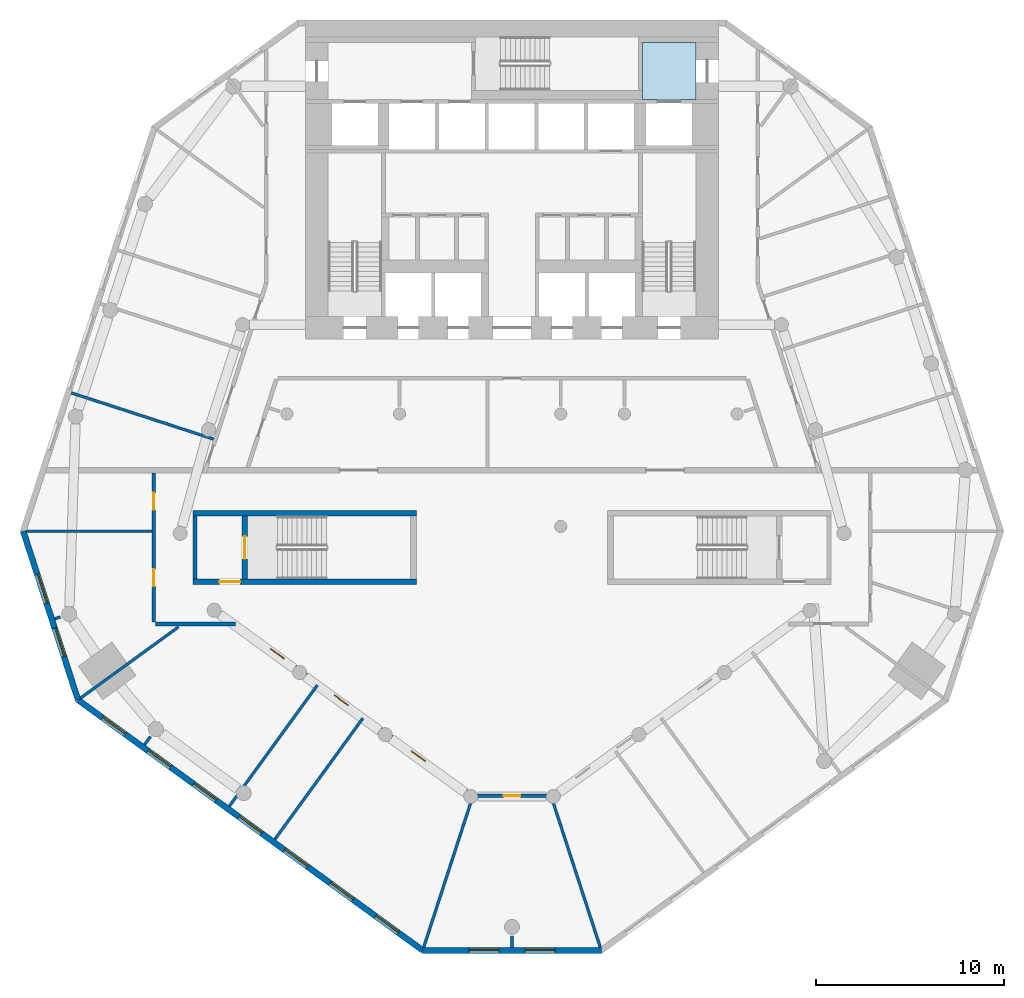
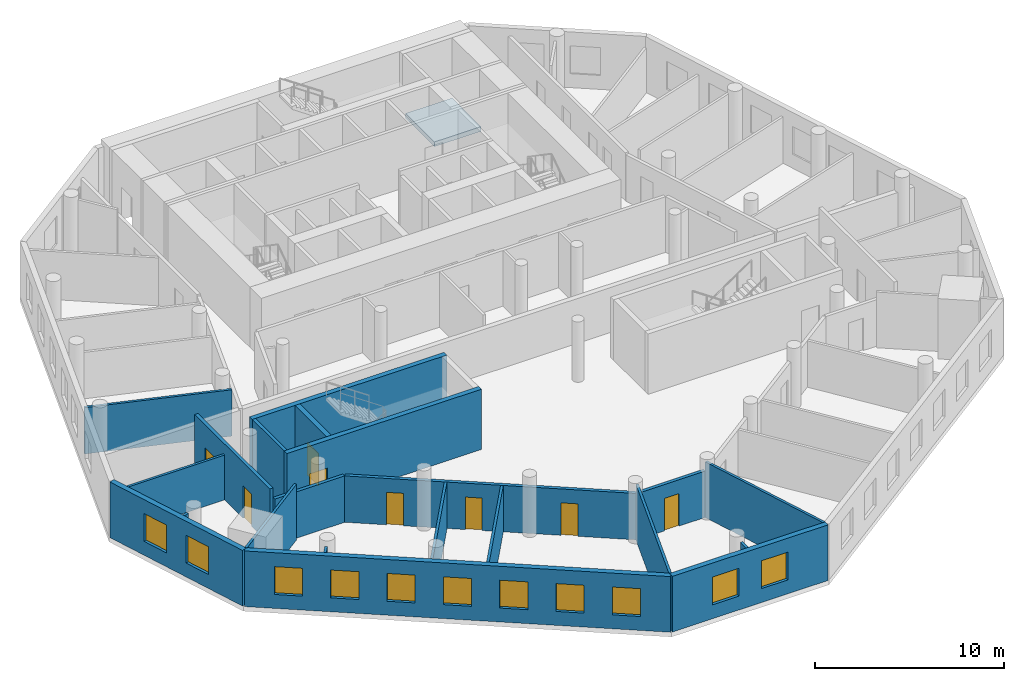
# One storey, part 2 of 9: 21 walls, 11 windows, 8 doors, 1 slab, 19 openings.
"""IFC4 building model written with IfcOpenShell, lengths in metres."""

from ifc_helpers import new_model, si_unit, direction, frame, frame_2d, origin, place, context, subcontext, project, spatial, polyline, rectangle, outline, extrude, material, layer, layer_set, type_object, element, fill, save


model = new_model("IFC4")

# Units and contexts
model_context = context("Model", 3, precision=1e-05, world=origin(), true_north=direction((0.0, 1.0)))
body_context = subcontext(model_context, "Body", "Model", "MODEL_VIEW")
ifc_project = project(units=[si_unit("LENGTHUNIT", "METRE"), si_unit("AREAUNIT", "SQUARE_METRE"), si_unit("VOLUMEUNIT", "CUBIC_METRE"), si_unit("PLANEANGLEUNIT", "RADIAN"), si_unit("MASSUNIT", "GRAM", prefix="KILO")], contexts=[model_context])

# Site, building, storey
site_placement = place(None, origin())
site = spatial("IfcSite", under=ifc_project, at=site_placement, CompositionType="ELEMENT")
building_placement = place(site_placement, origin())
building = spatial("IfcBuilding", under=site, at=building_placement, Name="White Candle Pilgrim Tower", CompositionType="ELEMENT")
storey_placement = place(building_placement, frame((0.0, 0.0, 58.5)))
storey = spatial("IfcBuildingStorey", under=building, at=storey_placement, Name="L11", CompositionType="ELEMENT", Elevation=58.5)

# Slab
ifc_material_1 = material(Name="Concrete C40/50", Category="concrete")
ifc_layer_1 = layer(ifc_material_1, 0.300048828125)
ifc_layer_set_1 = layer_set([ifc_layer_1], Name="Core floor slab 300 mm Concrete C40/50")
slab_type = type_object("IfcSlabType", Name="Core floor slab 300 mm Concrete C40/50", PredefinedType="FLOOR", material=ifc_layer_set_1)
slab_placement = place(storey_placement, frame((0.0, 0.0, -0.300048828125)))
element("IfcSlab", 1, at=slab_placement, inside=storey, type_object=slab_type, Name="CF-L11-06", PredefinedType="FLOOR", context=body_context, shape_type="SweptSolid", body=[
    extrude(outline(polyline([(79.800048828125, 86.800048828125), (79.800048828125, 83.75), (76.949951171875, 83.75), (76.949951171875, 84.25), (76.949951171875, 86.800048828125), (79.800048828125, 86.800048828125)])), origin(), (0.0, 0.0, 1.0), 0.300048828125),
])

# Wall
ifc_material_2 = material(Name="Concrete C70/85", Category="concrete")
ifc_layer_2 = layer(ifc_material_2, 0.199951171875)
ifc_layer_set_2 = layer_set([ifc_layer_2], Name="Core wall 200 mm Concrete C70/85")
wall_type_1 = type_object("IfcWallType", Name="Core wall 200 mm Concrete C70/85", PredefinedType="SHEAR", material=ifc_layer_set_2)
wall_1_placement = place(storey_placement, frame((53.10009765625, 58.199951171875, 0.0), z_axis=(0.0, 0.0, 1.0), x_axis=(0.0, 1.0, 0.0)))
element("IfcWall", 2, at=wall_1_placement, inside=storey, type_object=wall_type_1, Name="WL-L11-C03", PredefinedType="SHEAR", context=body_context, shape_type="SweptSolid", body=[
    extrude(rectangle(XDim=3.35009765625, YDim=0.199951171875, at=frame_2d((1.675048828125, 0.0))), origin(), (0.0, 0.0, 1.0), 3.89990234375),
])

# Wall, opening, door
ifc_material_3 = material(Name="Gypsum board on steel studs", Category="steel")
ifc_layer_3 = layer(ifc_material_3, 0.199951171875)
ifc_layer_set_3 = layer_set([ifc_layer_3], Name="Corridor wall 200 mm EI 45")
wall_type_2 = type_object("IfcWallType", Name="Corridor wall 200 mm EI 45", PredefinedType="PARTITIONING", material=ifc_layer_set_3)
wall_2_placement = place(storey_placement, frame((72.05029296875, 46.635498046875, 0.0), z_axis=(0.0, 0.0, 1.0), x_axis=(-1.0, 0.0, 0.0)))
wall_2 = element("IfcWall", 3, at=wall_2_placement, inside=storey, type_object=wall_type_2, Name="WL-L11-P009", PredefinedType="PARTITIONING", context=body_context, shape_type="SweptSolid", body=[
    extrude(rectangle(XDim=4.1005859375, YDim=0.199951171875, at=frame_2d((2.05029296875, 0.0))), origin(), (0.0, 0.0, 1.0), 3.0),
])
opening_1_placement = place(wall_2_placement, frame((1.600341796875, 0.0, 0.0)))
opening_1 = element("IfcOpeningElement", 4, at=opening_1_placement, cuts=wall_2, Name="Opening T03-105", PredefinedType="OPENING", context=body_context, shape_type="SweptSolid", body=[
    extrude(rectangle(XDim=0.89990234375, YDim=2.10009765625, at=frame_2d((0.449951171875, 1.050048828125))), frame((0.0, 0.10986328125, 0.0), z_axis=(0.0, -1.0, 0.0), x_axis=(1.0, 0.0, 0.0)), (0.0, 0.0, 1.0), 0.219970703125),
])
ifc_material_4 = material(Name="Steel door leaf", Category="steel")
door_type_1 = type_object("IfcDoorType", Name="Fire door 900 x 2100 EI 30", OperationType="NOTDEFINED", PredefinedType="DOOR", material=ifc_material_4)
door_1_placement = place(opening_1_placement, origin())
door_1 = element("IfcDoor", 5, at=door_1_placement, inside=storey, type_object=door_type_1, Name="Door T03-105", OperationType="SINGLE_SWING_LEFT", OverallHeight=2.10009765625, OverallWidth=0.89990234375, PredefinedType="DOOR", context=body_context, shape_type="SweptSolid", body=[
    extrude(rectangle(XDim=0.89990234375, YDim=2.10009765625, at=frame_2d((0.449951171875, 1.050048828125))), frame((0.0, 0.02490234375, 0.0), z_axis=(0.0, -1.0, 0.0), x_axis=(1.0, 0.0, 0.0)), (0.0, 0.0, 1.0), 0.050048828125),
])
fill(opening_1, door_1)

# Wall, openings, doors
wall_3_placement = place(storey_placement, frame((67.89111328125, 46.654541015625, 0.0), z_axis=(0.0, 0.0, 1.0), x_axis=(-0.80901748899, 0.587784571512, 0.0)))
wall_3 = element("IfcWall", 6, at=wall_3_placement, inside=storey, type_object=wall_type_2, Name="WL-L11-P010", PredefinedType="PARTITIONING", context=body_context, shape_type="SweptSolid", body=[
    extrude(rectangle(XDim=15.52685546875, YDim=0.199951171875, at=frame_2d((7.763427734375, 0.0))), origin(), (0.0, 0.0, 1.0), 3.0),
])
opening_2_placement = place(wall_3_placement, frame((12.40380859375, 0.0, 0.0)))
opening_2 = element("IfcOpeningElement", 7, at=opening_2_placement, cuts=wall_3, Name="Opening T03-102", PredefinedType="OPENING", context=body_context, shape_type="SweptSolid", body=[
    extrude(rectangle(XDim=0.89990234375, YDim=2.10009765625, at=frame_2d((0.449951171875, 1.050048828125))), frame((0.0, 0.10986328125, 0.0), z_axis=(0.0, -1.0, 0.0), x_axis=(1.0, 0.0, 0.0)), (0.0, 0.0, 1.0), 0.219970703125),
])
opening_3_placement = place(wall_3_placement, frame((8.198486328125, 0.0, 0.0)))
opening_3 = element("IfcOpeningElement", 8, at=opening_3_placement, cuts=wall_3, Name="Opening T03-103", PredefinedType="OPENING", context=body_context, shape_type="SweptSolid", body=[
    extrude(rectangle(XDim=0.89990234375, YDim=2.10009765625, at=frame_2d((0.449951171875, 1.050048828125))), frame((0.0, 0.10986328125, 0.0), z_axis=(0.0, -1.0, 0.0), x_axis=(1.0, 0.0, 0.0)), (0.0, 0.0, 1.0), 0.219970703125),
])
opening_4_placement = place(wall_3_placement, frame((3.10791015625, 0.0, 0.0)))
opening_4 = element("IfcOpeningElement", 9, at=opening_4_placement, cuts=wall_3, Name="Opening T03-104", PredefinedType="OPENING", context=body_context, shape_type="SweptSolid", body=[
    extrude(rectangle(XDim=0.89990234375, YDim=2.10009765625, at=frame_2d((0.449951171875, 1.050048828125))), frame((0.0, 0.10986328125, 0.0), z_axis=(0.0, -1.0, 0.0), x_axis=(1.0, 0.0, 0.0)), (0.0, 0.0, 1.0), 0.219970703125),
])
door_2_placement = place(opening_2_placement, origin())
door_2 = element("IfcDoor", 10, at=door_2_placement, inside=storey, type_object=door_type_1, Name="Door T03-102", OperationType="SINGLE_SWING_RIGHT", OverallHeight=2.10009765625, OverallWidth=0.89990234375, PredefinedType="DOOR", context=body_context, shape_type="SweptSolid", body=[
    extrude(rectangle(XDim=0.89990234375, YDim=2.10009765625, at=frame_2d((0.449951171875, 1.050048828125))), frame((0.0, 0.02490234375, 0.0), z_axis=(0.0, -1.0, 0.0), x_axis=(1.0, 0.0, 0.0)), (0.0, 0.0, 1.0), 0.050048828125),
])
fill(opening_2, door_2)
door_3_placement = place(opening_3_placement, origin())
door_3 = element("IfcDoor", 11, at=door_3_placement, inside=storey, type_object=door_type_1, Name="Door T03-103", OperationType="SINGLE_SWING_LEFT", OverallHeight=2.10009765625, OverallWidth=0.89990234375, PredefinedType="DOOR", context=body_context, shape_type="SweptSolid", body=[
    extrude(rectangle(XDim=0.89990234375, YDim=2.10009765625, at=frame_2d((0.449951171875, 1.050048828125))), frame((0.0, 0.02490234375, 0.0), z_axis=(0.0, -1.0, 0.0), x_axis=(1.0, 0.0, 0.0)), (0.0, 0.0, 1.0), 0.050048828125),
])
fill(opening_3, door_3)
door_4_placement = place(opening_4_placement, origin())
door_4 = element("IfcDoor", 12, at=door_4_placement, inside=storey, type_object=door_type_1, Name="Door T03-104", OperationType="SINGLE_SWING_RIGHT", OverallHeight=2.10009765625, OverallWidth=0.89990234375, PredefinedType="DOOR", context=body_context, shape_type="SweptSolid", body=[
    extrude(rectangle(XDim=0.89990234375, YDim=2.10009765625, at=frame_2d((0.449951171875, 1.050048828125))), frame((0.0, 0.02490234375, 0.0), z_axis=(0.0, -1.0, 0.0), x_axis=(1.0, 0.0, 0.0)), (0.0, 0.0, 1.0), 0.050048828125),
])
fill(opening_4, door_4)

# Wall
wall_4_placement = place(storey_placement, frame((55.27099609375, 55.800048828125, 0.0), z_axis=(0.0, 0.0, 1.0), x_axis=(-1.0, 0.0, 0.0)))
element("IfcWall", 13, at=wall_4_placement, inside=storey, type_object=wall_type_2, Name="WL-L11-P011", PredefinedType="PARTITIONING", context=body_context, shape_type="SweptSolid", body=[
    extrude(rectangle(XDim=4.27099609375, YDim=0.199951171875, at=frame_2d((2.135498046875, 0.0))), origin(), (0.0, 0.0, 1.0), 3.0),
])

# Wall, openings, doors
wall_5_placement = place(storey_placement, frame((50.89990234375, 55.89990234375, 0.0), z_axis=(0.0, 0.0, 1.0), x_axis=(0.0, 1.0, 0.0)))
wall_5 = element("IfcWall", 14, at=wall_5_placement, inside=storey, type_object=wall_type_2, Name="WL-L11-P012", PredefinedType="PARTITIONING", context=body_context, shape_type="SweptSolid", body=[
    extrude(rectangle(XDim=7.9501953125, YDim=0.199951171875, at=frame_2d((3.97509765625, 0.0))), origin(), (0.0, 0.0, 1.0), 3.60009765625),
])
opening_5_placement = place(wall_5_placement, frame((1.923583984375, 0.0, 0.0)))
opening_5 = element("IfcOpeningElement", 15, at=opening_5_placement, cuts=wall_5, Name="Opening T03-101", PredefinedType="OPENING", context=body_context, shape_type="SweptSolid", body=[
    extrude(rectangle(XDim=0.89990234375, YDim=2.10009765625, at=frame_2d((0.449951171875, 1.050048828125))), frame((0.0, 0.10986328125, 0.0), z_axis=(0.0, -1.0, 0.0), x_axis=(1.0, 0.0, 0.0)), (0.0, 0.0, 1.0), 0.219970703125),
])
opening_6_placement = place(wall_5_placement, frame((5.986083984375, 0.0, 0.0)))
opening_6 = element("IfcOpeningElement", 16, at=opening_6_placement, cuts=wall_5, Name="Opening T03-114", PredefinedType="OPENING", context=body_context, shape_type="SweptSolid", body=[
    extrude(rectangle(XDim=0.89990234375, YDim=2.10009765625, at=frame_2d((0.449951171875, 1.050048828125))), frame((0.0, 0.10986328125, 0.0), z_axis=(0.0, -1.0, 0.0), x_axis=(1.0, 0.0, 0.0)), (0.0, 0.0, 1.0), 0.219970703125),
])
door_5_placement = place(opening_5_placement, origin())
door_5 = element("IfcDoor", 17, at=door_5_placement, inside=storey, type_object=door_type_1, Name="Door T03-101", OperationType="SINGLE_SWING_LEFT", OverallHeight=2.10009765625, OverallWidth=0.89990234375, PredefinedType="DOOR", context=body_context, shape_type="SweptSolid", body=[
    extrude(rectangle(XDim=0.89990234375, YDim=2.10009765625, at=frame_2d((0.449951171875, 1.050048828125))), frame((0.0, 0.02490234375, 0.0), z_axis=(0.0, -1.0, 0.0), x_axis=(1.0, 0.0, 0.0)), (0.0, 0.0, 1.0), 0.050048828125),
])
fill(opening_5, door_5)
door_6_placement = place(opening_6_placement, origin())
door_6 = element("IfcDoor", 18, at=door_6_placement, inside=storey, type_object=door_type_1, Name="Door T03-114", OperationType="SINGLE_SWING_RIGHT", OverallHeight=2.10009765625, OverallWidth=0.89990234375, PredefinedType="DOOR", context=body_context, shape_type="SweptSolid", body=[
    extrude(rectangle(XDim=0.89990234375, YDim=2.10009765625, at=frame_2d((0.449951171875, 1.050048828125))), frame((0.0, 0.02490234375, 0.0), z_axis=(0.0, -1.0, 0.0), x_axis=(1.0, 0.0, 0.0)), (0.0, 0.0, 1.0), 0.050048828125),
])
fill(opening_6, door_6)

# Wall, openings, windows
ifc_material_5 = material(Name="Precast concrete C40/50", Category="concrete")
ifc_layer_4 = layer(ifc_material_5, 0.320068359375)
ifc_layer_set_4 = layer_set([ifc_layer_4], Name="Facade wall EW1 precast concrete C40/50 pier wall with timber-lined reveals")
wall_type_3 = type_object("IfcWallType", Name="Facade wall EW1 precast concrete C40/50 pier wall with timber-lined reveals", PredefinedType="SOLIDWALL", material=ifc_layer_set_4)
wall_6_placement = place(storey_placement, frame((43.937744140625, 60.747314453125, 0.0), z_axis=(0.0, 0.0, 1.0), x_axis=(0.309035900621, -0.951050373076, 0.0)))
wall_6 = element("IfcWall", 19, at=wall_6_placement, inside=storey, type_object=wall_type_3, Name="Facade wall L11 W chamfer", PredefinedType="SOLIDWALL", context=body_context, shape_type="SweptSolid", body=[
    extrude(rectangle(XDim=9.462646484375, YDim=0.320068359375, at=frame_2d((4.7314453125, 0.0))), origin(), (0.0, 0.0, 1.0), 3.60009765625),
])
opening_7_placement = place(wall_6_placement, frame((2.431396484375, 0.0, 0.89990234375)))
opening_7 = element("IfcOpeningElement", 20, at=opening_7_placement, cuts=wall_6, Name="Opening W2", PredefinedType="OPENING", context=body_context, shape_type="SweptSolid", body=[
    extrude(rectangle(XDim=1.60009765625, YDim=1.800048828125, at=frame_2d((0.800048828125, 0.89990234375))), frame((0.0, 0.169921875, 0.0), z_axis=(0.0, -1.0, 0.0), x_axis=(1.0, 0.0, 0.0)), (0.0, 0.0, 1.0), 0.340087890625),
])
opening_8_placement = place(wall_6_placement, frame((5.431396484375, 0.0, 0.89990234375)))
opening_8 = element("IfcOpeningElement", 21, at=opening_8_placement, cuts=wall_6, Name="Opening W2", PredefinedType="OPENING", context=body_context, shape_type="SweptSolid", body=[
    extrude(rectangle(XDim=1.60009765625, YDim=1.800048828125, at=frame_2d((0.800048828125, 0.89990234375))), frame((0.0, 0.169921875, 0.0), z_axis=(0.0, -1.0, 0.0), x_axis=(1.0, 0.0, 0.0)), (0.0, 0.0, 1.0), 0.340087890625),
])
ifc_material_6 = material(Name="Timber frame with triple glazing", Category="wood")
window_type_1 = type_object("IfcWindowType", Name="Window W2 1600x1800 timber frame triple glazing", PartitioningType="SINGLE_PANEL", PredefinedType="WINDOW", material=ifc_material_6)
window_1_placement = place(opening_7_placement, origin())
window_1 = element("IfcWindow", 22, at=window_1_placement, inside=storey, type_object=window_type_1, Name="Window W2 L11 W chamfer 1", OverallHeight=1.800048828125, OverallWidth=1.60009765625, PartitioningType="SINGLE_PANEL", PredefinedType="WINDOW", context=body_context, shape_type="SweptSolid", body=[
    extrude(rectangle(XDim=1.60009765625, YDim=1.800048828125, at=frame_2d((0.800048828125, 0.89990234375))), frame((0.0, 0.070068359375, 0.0), z_axis=(0.0, -1.0, 0.0), x_axis=(1.0, 0.0, 0.0)), (0.0, 0.0, 1.0), 0.06005859375),
])
fill(opening_7, window_1)
window_2_placement = place(opening_8_placement, origin())
window_2 = element("IfcWindow", 23, at=window_2_placement, inside=storey, type_object=window_type_1, Name="Window W2 L11 W chamfer 2", OverallHeight=1.800048828125, OverallWidth=1.60009765625, PartitioningType="SINGLE_PANEL", PredefinedType="WINDOW", context=body_context, shape_type="SweptSolid", body=[
    extrude(rectangle(XDim=1.60009765625, YDim=1.800048828125, at=frame_2d((0.800048828125, 0.89990234375))), frame((0.0, 0.070068359375, 0.0), z_axis=(0.0, -1.0, 0.0), x_axis=(1.0, 0.0, 0.0)), (0.0, 0.0, 1.0), 0.06005859375),
])
fill(opening_8, window_2)

wall_7_placement = place(storey_placement, frame((46.862060546875, 51.747802734375, 0.0), z_axis=(0.0, 0.0, 1.0), x_axis=(0.809018094896, -0.587783737552, 0.0)))
wall_7 = element("IfcWall", 24, at=wall_7_placement, inside=storey, type_object=wall_type_3, Name="Facade wall L11 SW", PredefinedType="SOLIDWALL", context=body_context, shape_type="SweptSolid", body=[
    extrude(rectangle(XDim=22.71630859375, YDim=0.320068359375, at=frame_2d((11.358154296875, 0.0))), origin(), (0.0, 0.0, 1.0), 3.60009765625),
])
opening_9_placement = place(wall_7_placement, frame((1.608154296875, 0.0, 0.89990234375)))
opening_9 = element("IfcOpeningElement", 25, at=opening_9_placement, cuts=wall_7, Name="Opening W1", PredefinedType="OPENING", context=body_context, shape_type="SweptSolid", body=[
    extrude(rectangle(XDim=1.5, YDim=1.800048828125, at=frame_2d((0.75, 0.89990234375))), frame((0.0, 0.169921875, 0.0), z_axis=(0.0, -1.0, 0.0), x_axis=(1.0, 0.0, 0.0)), (0.0, 0.0, 1.0), 0.340087890625),
])
opening_10_placement = place(wall_7_placement, frame((4.608154296875, 0.0, 0.89990234375)))
opening_10 = element("IfcOpeningElement", 26, at=opening_10_placement, cuts=wall_7, Name="Opening W1", PredefinedType="OPENING", context=body_context, shape_type="SweptSolid", body=[
    extrude(rectangle(XDim=1.5, YDim=1.800048828125, at=frame_2d((0.75, 0.89990234375))), frame((0.0, 0.169921875, 0.0), z_axis=(0.0, -1.0, 0.0), x_axis=(1.0, 0.0, 0.0)), (0.0, 0.0, 1.0), 0.340087890625),
])
opening_11_placement = place(wall_7_placement, frame((7.608154296875, 0.0, 0.89990234375)))
opening_11 = element("IfcOpeningElement", 27, at=opening_11_placement, cuts=wall_7, Name="Opening W1", PredefinedType="OPENING", context=body_context, shape_type="SweptSolid", body=[
    extrude(rectangle(XDim=1.5, YDim=1.800048828125, at=frame_2d((0.75, 0.89990234375))), frame((0.0, 0.169921875, 0.0), z_axis=(0.0, -1.0, 0.0), x_axis=(1.0, 0.0, 0.0)), (0.0, 0.0, 1.0), 0.340087890625),
])
opening_12_placement = place(wall_7_placement, frame((10.608154296875, 0.0, 0.89990234375)))
opening_12 = element("IfcOpeningElement", 28, at=opening_12_placement, cuts=wall_7, Name="Opening W1", PredefinedType="OPENING", context=body_context, shape_type="SweptSolid", body=[
    extrude(rectangle(XDim=1.5, YDim=1.800048828125, at=frame_2d((0.75, 0.89990234375))), frame((0.0, 0.169921875, 0.0), z_axis=(0.0, -1.0, 0.0), x_axis=(1.0, 0.0, 0.0)), (0.0, 0.0, 1.0), 0.340087890625),
])
opening_13_placement = place(wall_7_placement, frame((13.608154296875, 0.0, 0.89990234375)))
opening_13 = element("IfcOpeningElement", 29, at=opening_13_placement, cuts=wall_7, Name="Opening W1", PredefinedType="OPENING", context=body_context, shape_type="SweptSolid", body=[
    extrude(rectangle(XDim=1.5, YDim=1.800048828125, at=frame_2d((0.75, 0.89990234375))), frame((0.0, 0.169921875, 0.0), z_axis=(0.0, -1.0, 0.0), x_axis=(1.0, 0.0, 0.0)), (0.0, 0.0, 1.0), 0.340087890625),
])
opening_14_placement = place(wall_7_placement, frame((16.608154296875, 0.0, 0.89990234375)))
opening_14 = element("IfcOpeningElement", 30, at=opening_14_placement, cuts=wall_7, Name="Opening W1", PredefinedType="OPENING", context=body_context, shape_type="SweptSolid", body=[
    extrude(rectangle(XDim=1.5, YDim=1.800048828125, at=frame_2d((0.75, 0.89990234375))), frame((0.0, 0.169921875, 0.0), z_axis=(0.0, -1.0, 0.0), x_axis=(1.0, 0.0, 0.0)), (0.0, 0.0, 1.0), 0.340087890625),
])
opening_15_placement = place(wall_7_placement, frame((19.608154296875, 0.0, 0.89990234375)))
opening_15 = element("IfcOpeningElement", 31, at=opening_15_placement, cuts=wall_7, Name="Opening W1", PredefinedType="OPENING", context=body_context, shape_type="SweptSolid", body=[
    extrude(rectangle(XDim=1.5, YDim=1.800048828125, at=frame_2d((0.75, 0.89990234375))), frame((0.0, 0.169921875, 0.0), z_axis=(0.0, -1.0, 0.0), x_axis=(1.0, 0.0, 0.0)), (0.0, 0.0, 1.0), 0.340087890625),
])
window_type_2 = type_object("IfcWindowType", Name="Window W1 1500x1800 timber frame triple glazing", PartitioningType="SINGLE_PANEL", PredefinedType="WINDOW", material=ifc_material_6)
window_3_placement = place(opening_9_placement, origin())
window_3 = element("IfcWindow", 32, at=window_3_placement, inside=storey, type_object=window_type_2, Name="Window W1 L11 SW 1", OverallHeight=1.800048828125, OverallWidth=1.5, PartitioningType="SINGLE_PANEL", PredefinedType="WINDOW", context=body_context, shape_type="SweptSolid", body=[
    extrude(rectangle(XDim=1.5, YDim=1.800048828125, at=frame_2d((0.75, 0.89990234375))), frame((0.0, 0.070068359375, 0.0), z_axis=(0.0, -1.0, 0.0), x_axis=(1.0, 0.0, 0.0)), (0.0, 0.0, 1.0), 0.06005859375),
])
fill(opening_9, window_3)
window_4_placement = place(opening_10_placement, origin())
window_4 = element("IfcWindow", 33, at=window_4_placement, inside=storey, type_object=window_type_2, Name="Window W1 L11 SW 2", OverallHeight=1.800048828125, OverallWidth=1.5, PartitioningType="SINGLE_PANEL", PredefinedType="WINDOW", context=body_context, shape_type="SweptSolid", body=[
    extrude(rectangle(XDim=1.5, YDim=1.800048828125, at=frame_2d((0.75, 0.89990234375))), frame((0.0, 0.070068359375, 0.0), z_axis=(0.0, -1.0, 0.0), x_axis=(1.0, 0.0, 0.0)), (0.0, 0.0, 1.0), 0.06005859375),
])
fill(opening_10, window_4)
window_5_placement = place(opening_11_placement, origin())
window_5 = element("IfcWindow", 34, at=window_5_placement, inside=storey, type_object=window_type_2, Name="Window W1 L11 SW 3", OverallHeight=1.800048828125, OverallWidth=1.5, PartitioningType="SINGLE_PANEL", PredefinedType="WINDOW", context=body_context, shape_type="SweptSolid", body=[
    extrude(rectangle(XDim=1.5, YDim=1.800048828125, at=frame_2d((0.75, 0.89990234375))), frame((0.0, 0.070068359375, 0.0), z_axis=(0.0, -1.0, 0.0), x_axis=(1.0, 0.0, 0.0)), (0.0, 0.0, 1.0), 0.06005859375),
])
fill(opening_11, window_5)
window_6_placement = place(opening_12_placement, origin())
window_6 = element("IfcWindow", 35, at=window_6_placement, inside=storey, type_object=window_type_2, Name="Window W1 L11 SW 4", OverallHeight=1.800048828125, OverallWidth=1.5, PartitioningType="SINGLE_PANEL", PredefinedType="WINDOW", context=body_context, shape_type="SweptSolid", body=[
    extrude(rectangle(XDim=1.5, YDim=1.800048828125, at=frame_2d((0.75, 0.89990234375))), frame((0.0, 0.070068359375, 0.0), z_axis=(0.0, -1.0, 0.0), x_axis=(1.0, 0.0, 0.0)), (0.0, 0.0, 1.0), 0.06005859375),
])
fill(opening_12, window_6)
window_7_placement = place(opening_13_placement, origin())
window_7 = element("IfcWindow", 36, at=window_7_placement, inside=storey, type_object=window_type_2, Name="Window W1 L11 SW 5", OverallHeight=1.800048828125, OverallWidth=1.5, PartitioningType="SINGLE_PANEL", PredefinedType="WINDOW", context=body_context, shape_type="SweptSolid", body=[
    extrude(rectangle(XDim=1.5, YDim=1.800048828125, at=frame_2d((0.75, 0.89990234375))), frame((0.0, 0.070068359375, 0.0), z_axis=(0.0, -1.0, 0.0), x_axis=(1.0, 0.0, 0.0)), (0.0, 0.0, 1.0), 0.06005859375),
])
fill(opening_13, window_7)
window_8_placement = place(opening_14_placement, origin())
window_8 = element("IfcWindow", 37, at=window_8_placement, inside=storey, type_object=window_type_2, Name="Window W1 L11 SW 6", OverallHeight=1.800048828125, OverallWidth=1.5, PartitioningType="SINGLE_PANEL", PredefinedType="WINDOW", context=body_context, shape_type="SweptSolid", body=[
    extrude(rectangle(XDim=1.5, YDim=1.800048828125, at=frame_2d((0.75, 0.89990234375))), frame((0.0, 0.070068359375, 0.0), z_axis=(0.0, -1.0, 0.0), x_axis=(1.0, 0.0, 0.0)), (0.0, 0.0, 1.0), 0.06005859375),
])
fill(opening_14, window_8)
window_9_placement = place(opening_15_placement, origin())
window_9 = element("IfcWindow", 38, at=window_9_placement, inside=storey, type_object=window_type_2, Name="Window W1 L11 SW 7", OverallHeight=1.800048828125, OverallWidth=1.5, PartitioningType="SINGLE_PANEL", PredefinedType="WINDOW", context=body_context, shape_type="SweptSolid", body=[
    extrude(rectangle(XDim=1.5, YDim=1.800048828125, at=frame_2d((0.75, 0.89990234375))), frame((0.0, 0.070068359375, 0.0), z_axis=(0.0, -1.0, 0.0), x_axis=(1.0, 0.0, 0.0)), (0.0, 0.0, 1.0), 0.06005859375),
])
fill(opening_15, window_9)

wall_8_placement = place(storey_placement, frame((65.239990234375, 38.3955078125, 0.0), z_axis=(0.0, 0.0, 1.0), x_axis=(1.0, 0.0, 0.0)))
wall_8 = element("IfcWall", 39, at=wall_8_placement, inside=storey, type_object=wall_type_3, Name="Facade wall L11 S chamfer", PredefinedType="SOLIDWALL", context=body_context, shape_type="SweptSolid", body=[
    extrude(rectangle(XDim=9.52001953125, YDim=0.320068359375, at=frame_2d((4.760009765625, 0.0))), origin(), (0.0, 0.0, 1.0), 3.60009765625),
])
opening_16_placement = place(wall_8_placement, frame((2.460205078125, 0.0, 0.89990234375)))
opening_16 = element("IfcOpeningElement", 40, at=opening_16_placement, cuts=wall_8, Name="Opening W2", PredefinedType="OPENING", context=body_context, shape_type="SweptSolid", body=[
    extrude(rectangle(XDim=1.60009765625, YDim=1.800048828125, at=frame_2d((0.800048828125, 0.89990234375))), frame((0.0, 0.169921875, 0.0), z_axis=(0.0, -1.0, 0.0), x_axis=(1.0, 0.0, 0.0)), (0.0, 0.0, 1.0), 0.340087890625),
])
opening_17_placement = place(wall_8_placement, frame((5.460205078125, 0.0, 0.89990234375)))
opening_17 = element("IfcOpeningElement", 41, at=opening_17_placement, cuts=wall_8, Name="Opening W2", PredefinedType="OPENING", context=body_context, shape_type="SweptSolid", body=[
    extrude(rectangle(XDim=1.60009765625, YDim=1.800048828125, at=frame_2d((0.800048828125, 0.89990234375))), frame((0.0, 0.169921875, 0.0), z_axis=(0.0, -1.0, 0.0), x_axis=(1.0, 0.0, 0.0)), (0.0, 0.0, 1.0), 0.340087890625),
])
window_10_placement = place(opening_16_placement, origin())
window_10 = element("IfcWindow", 42, at=window_10_placement, inside=storey, type_object=window_type_1, Name="Window W2 L11 S chamfer 1", OverallHeight=1.800048828125, OverallWidth=1.60009765625, PartitioningType="SINGLE_PANEL", PredefinedType="WINDOW", context=body_context, shape_type="SweptSolid", body=[
    extrude(rectangle(XDim=1.60009765625, YDim=1.800048828125, at=frame_2d((0.800048828125, 0.89990234375))), frame((0.0, 0.070068359375, 0.0), z_axis=(0.0, -1.0, 0.0), x_axis=(1.0, 0.0, 0.0)), (0.0, 0.0, 1.0), 0.06005859375),
])
fill(opening_16, window_10)
window_11_placement = place(opening_17_placement, origin())
window_11 = element("IfcWindow", 43, at=window_11_placement, inside=storey, type_object=window_type_1, Name="Window W2 L11 S chamfer 2", OverallHeight=1.800048828125, OverallWidth=1.60009765625, PartitioningType="SINGLE_PANEL", PredefinedType="WINDOW", context=body_context, shape_type="SweptSolid", body=[
    extrude(rectangle(XDim=1.60009765625, YDim=1.800048828125, at=frame_2d((0.800048828125, 0.89990234375))), frame((0.0, 0.070068359375, 0.0), z_axis=(0.0, -1.0, 0.0), x_axis=(1.0, 0.0, 0.0)), (0.0, 0.0, 1.0), 0.06005859375),
])
fill(opening_17, window_11)

# Walls
ifc_layer_5 = layer(ifc_material_3, 0.14990234375)
ifc_layer_set_5 = layer_set([ifc_layer_5], Name="Partition 150 mm EI 60")
wall_type_4 = type_object("IfcWallType", Name="Partition 150 mm EI 60", PredefinedType="PARTITIONING", material=ifc_layer_set_5)
wall_9_placement = place(storey_placement, frame((44.10595703125, 60.747314453125, 0.0), z_axis=(0.0, 0.0, 1.0), x_axis=(1.0, 0.0, 0.0)))
element("IfcWall", 44, at=wall_9_placement, inside=storey, type_object=wall_type_4, Name="WL-L11-P017", PredefinedType="PARTITIONING", context=body_context, shape_type="SweptSolid", body=[
    extrude(rectangle(XDim=6.694091796875, YDim=0.14990234375, at=frame_2d((3.34716796875, 0.0))), origin(), (0.0, 0.0, 1.0), 2.89990234375),
])
wall_10_placement = place(storey_placement, frame((46.998046875, 51.8466796875, 0.0), z_axis=(0.0, 0.0, 1.0), x_axis=(0.809002704112, 0.587804920649, 0.0)))
element("IfcWall", 45, at=wall_10_placement, inside=storey, type_object=wall_type_4, Name="WL-L11-P018", PredefinedType="PARTITIONING", context=body_context, shape_type="SweptSolid", body=[
    extrude(rectangle(XDim=6.452392578125, YDim=0.14990234375, at=frame_2d((3.22607421875, 0.0))), origin(), (0.0, 0.0, 1.0), 3.60009765625),
])
for number, where, z_axis, x_axis, name in (
    (46, (65.2919921875, 38.555419921875, 0.0), (0.0, 0.0, 1.0), (0.309017155919, 0.951056463806, 0.0), "WL-L11-P019"),
    (47, (74.7080078125, 38.555419921875, 0.0), (0.0, 0.0, 1.0), (-0.309017155919, 0.951056463806, 0.0), "WL-L11-P020"),
):
    element("IfcWall", number, at=place(storey_placement, frame(where, z_axis=z_axis, x_axis=x_axis)), inside=storey, type_object=wall_type_4, Name=name, PredefinedType="PARTITIONING", context=body_context, shape_type="SweptSolid", body=[
        extrude(rectangle(XDim=8.410888671875, YDim=0.14990234375, at=frame_2d((4.20556640625, 0.0))), origin(), (0.0, 0.0, 1.0), 3.60009765625),
    ])
for number, where, z_axis, x_axis, name in (
    (48, (46.502197265625, 68.122314453125, 0.0), (0.0, 0.0, 1.0), (0.951054525606, -0.30902312102, 0.0), "WL-L11-P027"),
    (49, (54.931396484375, 46.082763671875, 0.0), (0.0, 0.0, 1.0), (0.587791447383, 0.809012493342, 0.0), "WL-L11-P028"),
    (50, (57.3583984375, 44.3193359375, 0.0), (0.0, 0.0, 1.0), (0.587791447383, 0.809012493342, 0.0), "WL-L11-P029"),
):
    element("IfcWall", number, at=place(storey_placement, frame(where, z_axis=z_axis, x_axis=x_axis)), inside=storey, type_object=wall_type_4, Name=name, PredefinedType="PARTITIONING", context=body_context, shape_type="SweptSolid", body=[
        extrude(rectangle(XDim=7.980224609375, YDim=0.14990234375, at=frame_2d((3.990234375, 0.0))), origin(), (0.0, 0.0, 1.0), 3.0),
    ])
wall_11_placement = place(storey_placement, frame((45.92529296875, 56.1748046875, 0.0), z_axis=(0.0, 0.0, 1.0), x_axis=(-0.951192295865, -0.308598795018, 0.0)))
element("IfcWall", 51, at=wall_11_placement, inside=storey, type_object=wall_type_4, Name="WL-L11-P040", PredefinedType="PARTITIONING", context=body_context, shape_type="SweptSolid", body=[
    extrude(rectangle(XDim=0.317138671875, YDim=0.14990234375, at=frame_2d((0.15869140625, 0.0))), origin(), (0.0, 0.0, 1.0), 3.60009765625),
])
wall_12_placement = place(storey_placement, frame((50.72412109375, 49.799560546875, 0.0), z_axis=(0.0, 0.0, 1.0), x_axis=(-0.588008562827, -0.808854702676, 0.0)))
element("IfcWall", 52, at=wall_12_placement, inside=storey, type_object=wall_type_4, Name="WL-L11-P041", PredefinedType="PARTITIONING", context=body_context, shape_type="SweptSolid", body=[
    extrude(rectangle(XDim=0.533935546875, YDim=0.14990234375, at=frame_2d((0.26708984375, 0.0))), origin(), (0.0, 0.0, 1.0), 3.60009765625),
])
wall_13_placement = place(storey_placement, frame((70.002197265625, 39.159912109375, 0.0), z_axis=(0.0, 0.0, 1.0), x_axis=(0.0, -1.0, 0.0)))
element("IfcWall", 53, at=wall_13_placement, inside=storey, type_object=wall_type_4, Name="WL-L11-P042", PredefinedType="PARTITIONING", context=body_context, shape_type="SweptSolid", body=[
    extrude(rectangle(XDim=0.6044921875, YDim=0.14990234375, at=frame_2d((0.30224609375, 0.0))), origin(), (0.0, 0.0, 1.0), 3.60009765625),
])

# Wall, opening, door
ifc_layer_6 = layer(ifc_material_2, 0.300048828125)
ifc_layer_set_6 = layer_set([ifc_layer_6], Name="Stair shaft wall 300 mm Concrete C70/85")
wall_type_5 = type_object("IfcWallType", Name="Stair shaft wall 300 mm Concrete C70/85", PredefinedType="SHEAR", material=ifc_layer_set_6)
wall_14_placement = place(storey_placement, frame((53.0, 58.050048828125, 0.0), z_axis=(0.0, 0.0, 1.0), x_axis=(1.0, 0.0, 0.0)))
wall_14 = element("IfcWall", 54, at=wall_14_placement, inside=storey, type_object=wall_type_5, Name="WL-L11-C01", PredefinedType="SHEAR", context=body_context, shape_type="SweptSolid", body=[
    extrude(rectangle(XDim=11.89990234375, YDim=0.300048828125, at=frame_2d((5.949951171875, 0.0))), origin(), (0.0, 0.0, 1.0), 3.89990234375),
])
opening_18_placement = place(wall_14_placement, frame((1.39990234375, 0.0, 0.0)))
opening_18 = element("IfcOpeningElement", 55, at=opening_18_placement, cuts=wall_14, Name="Opening T03-007", PredefinedType="OPENING", context=body_context, shape_type="SweptSolid", body=[
    extrude(rectangle(XDim=1.10009765625, YDim=2.10009765625, at=frame_2d((0.550048828125, 1.050048828125))), frame((0.0, 0.159912109375, 0.0), z_axis=(0.0, -1.0, 0.0), x_axis=(1.0, 0.0, 0.0)), (0.0, 0.0, 1.0), 0.320068359375),
])
door_type_2 = type_object("IfcDoorType", Name="Fire door 1100 x 2100 EI 60", OperationType="NOTDEFINED", PredefinedType="DOOR", material=ifc_material_4)
door_7_placement = place(opening_18_placement, origin())
door_7 = element("IfcDoor", 56, at=door_7_placement, inside=storey, type_object=door_type_2, Name="Door T03-007", OperationType="SINGLE_SWING_LEFT", OverallHeight=2.10009765625, OverallWidth=1.10009765625, PredefinedType="DOOR", context=body_context, shape_type="SweptSolid", body=[
    extrude(rectangle(XDim=1.10009765625, YDim=2.10009765625, at=frame_2d((0.550048828125, 1.050048828125))), frame((0.0, 0.02490234375, 0.0), z_axis=(0.0, -1.0, 0.0), x_axis=(1.0, 0.0, 0.0)), (0.0, 0.0, 1.0), 0.050048828125),
])
fill(opening_18, door_7)

wall_15_placement = place(storey_placement, frame((55.75, 58.199951171875, 0.0), z_axis=(0.0, 0.0, 1.0), x_axis=(0.0, 1.0, 0.0)))
wall_15 = element("IfcWall", 57, at=wall_15_placement, inside=storey, type_object=wall_type_5, Name="WL-L11-C04", PredefinedType="SHEAR", context=body_context, shape_type="SweptSolid", body=[
    extrude(rectangle(XDim=3.35009765625, YDim=0.300048828125, at=frame_2d((1.675048828125, 0.0))), origin(), (0.0, 0.0, 1.0), 3.89990234375),
])
opening_19_placement = place(wall_15_placement, frame((1.074951171875, 0.0, 0.0)))
opening_19 = element("IfcOpeningElement", 58, at=opening_19_placement, cuts=wall_15, Name="Opening T03-008", PredefinedType="OPENING", context=body_context, shape_type="SweptSolid", body=[
    extrude(rectangle(XDim=1.199951171875, YDim=2.10009765625, at=frame_2d((0.60009765625, 1.050048828125))), frame((0.0, 0.159912109375, 0.0), z_axis=(0.0, -1.0, 0.0), x_axis=(1.0, 0.0, 0.0)), (0.0, 0.0, 1.0), 0.320068359375),
])
door_type_3 = type_object("IfcDoorType", Name="Fire door 1200 x 2100 EI 60", OperationType="NOTDEFINED", PredefinedType="DOOR", material=ifc_material_4)
door_8_placement = place(opening_19_placement, frame((1.199951171875, 0.0, 0.0), z_axis=(0.0, 0.0, 1.0), x_axis=(-1.0, 0.0, 0.0)))
door_8 = element("IfcDoor", 59, at=door_8_placement, inside=storey, type_object=door_type_3, Name="Door T03-008", OperationType="SINGLE_SWING_LEFT", OverallHeight=2.10009765625, OverallWidth=1.199951171875, PredefinedType="DOOR", context=body_context, shape_type="SweptSolid", body=[
    extrude(rectangle(XDim=1.199951171875, YDim=2.10009765625, at=frame_2d((0.60009765625, 1.050048828125))), frame((0.0, 0.02490234375, 0.0), z_axis=(0.0, -1.0, 0.0), x_axis=(1.0, 0.0, 0.0)), (0.0, 0.0, 1.0), 0.050048828125),
])
fill(opening_19, door_8)

# Wall
wall_16_placement = place(storey_placement, frame((53.0, 61.699951171875, 0.0), z_axis=(0.0, 0.0, 1.0), x_axis=(1.0, 0.0, 0.0)))
element("IfcWall", 60, at=wall_16_placement, inside=storey, type_object=wall_type_5, Name="WL-L11-C09", PredefinedType="SHEAR", context=body_context, shape_type="SweptSolid", body=[
    extrude(rectangle(XDim=11.89990234375, YDim=0.300048828125, at=frame_2d((5.949951171875, 0.0))), origin(), (0.0, 0.0, 1.0), 3.89990234375),
])

save(model, "model.ifc")
